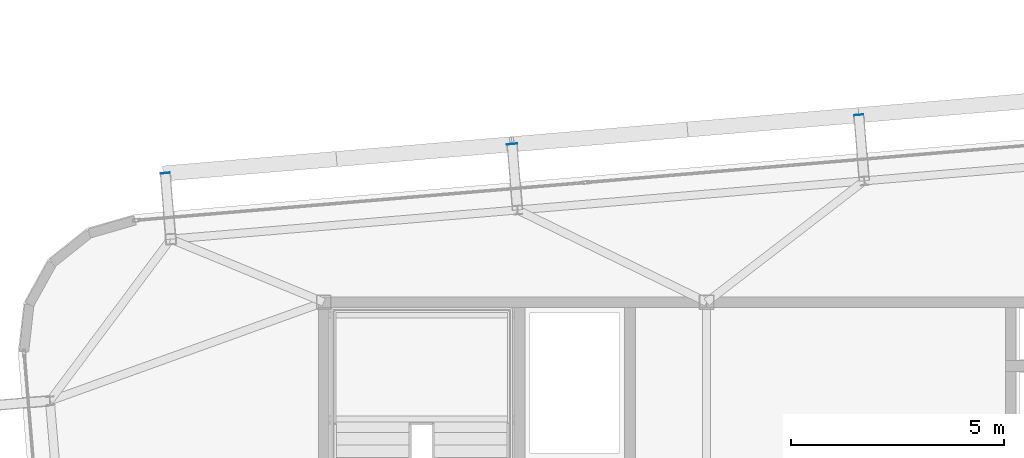
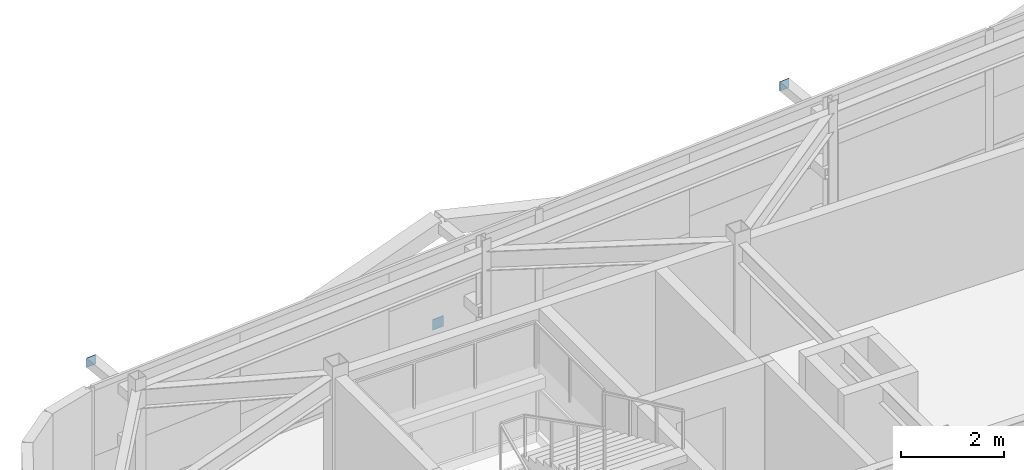
# One storey, part 32 of 39: 3 plates.
"""IFC4 building model written with IfcOpenShell, lengths in metres."""

from ifc_helpers import new_model, si_unit, direction, frame, origin, origin_2d, place, context, subcontext, project, spatial, rectangle, extrude, source, transform, mapped, material, layer, layer_set, type_object, element, save


model = new_model("IFC4")

# Units and contexts
model_context = context("Model", 3, precision=1e-05, world=origin(), true_north=direction((0.0, 1.0)))
body_context = subcontext(model_context, "Body", "Model", "MODEL_VIEW")
ifc_project = project(units=[si_unit("LENGTHUNIT", "METRE"), si_unit("AREAUNIT", "SQUARE_METRE"), si_unit("VOLUMEUNIT", "CUBIC_METRE"), si_unit("PLANEANGLEUNIT", "RADIAN"), si_unit("MASSUNIT", "GRAM", prefix="KILO")], contexts=[model_context])

# Site, building, storey
site_placement = place(None, origin())
site = spatial("IfcSite", under=ifc_project, at=site_placement, CompositionType="ELEMENT")
building_placement = place(site_placement, origin())
building = spatial("IfcBuilding", under=site, at=building_placement, Name="Taldren Reach Tower", CompositionType="ELEMENT")
storey_placement = place(building_placement, frame((0.0, 0.0, 204.050048828125)))
storey = spatial("IfcBuildingStorey", under=building, at=storey_placement, Name="L62", CompositionType="ELEMENT", Elevation=204.050048828125)

# Plates
ifc_material_1 = material(Name="Steel Gr 350 (C350L0)", Category="steel")
ifc_layer_1 = layer(ifc_material_1, 0.011962890625)
ifc_layer_set_1 = layer_set([ifc_layer_1], Name="Steel Gr 350 (C350L0)")
plate_type_1 = type_object("IfcPlateType", Name="PL-CAP-250", PredefinedType="SHEET", material=ifc_layer_set_1)
shared_shape_1 = source(origin(), body_context, "Body", "SweptSolid", [
    extrude(rectangle(XDim=0.25, YDim=0.011962890625, at=origin_2d()), origin(), (0.0, 0.0, 1.0), 0.25),
])
plate_placement = place(storey_placement, frame((23.4248046875, 35.718505859375, 0.094970703125), z_axis=(0.0, 0.0, 1.0), x_axis=(0.99649285925, 0.083677843332, 0.0)))
element("IfcPlate", 1, at=plate_placement, inside=storey, type_object=plate_type_1, Name="Tie strut end cap plate B4-N2 L62", PredefinedType="SHEET", context=body_context, shape_type="MappedRepresentation", body=[
    mapped(shared_shape_1, transform((0.0, 0.0, 0.0), scale=1.0)),
])
ifc_material_2 = material(Name="Steel Gr 450 (C450L0)", Category="steel")
ifc_layer_2 = layer(ifc_material_2, 0.011962890625)
ifc_layer_set_2 = layer_set([ifc_layer_2], Name="Steel Gr 450 (C450L0)")
plate_type_2 = type_object("IfcPlateType", Name="PL-CAP-220", PredefinedType="SHEET", material=ifc_layer_set_2)
shared_shape_2 = source(origin(), body_context, "Body", "SweptSolid", [
    extrude(rectangle(XDim=0.219970703125, YDim=0.011962890625, at=origin_2d()), origin(), (0.0, 0.0, 1.0), 0.219970703125),
])
for number, where, z_axis, x_axis, name in (
    (2, (15.273681640625, 35.0341796875, 2.47998046875), (0.0, 0.0, 1.0), (0.99649285925, 0.083677843332, 0.0), "Tie strut end cap plate B4-N1 L62"),
    (3, (31.576171875, 36.403076171875, 2.47998046875), (0.0, 0.0, 1.0), (0.99649285925, 0.083677843332, 0.0), "Tie strut end cap plate B4-N3 L62"),
):
    element("IfcPlate", number, at=place(storey_placement, frame(where, z_axis=z_axis, x_axis=x_axis)), inside=storey, type_object=plate_type_2, Name=name, PredefinedType="SHEET", context=body_context, shape_type="MappedRepresentation", body=[
        mapped(shared_shape_2, transform((0.0, 0.0, 0.0), scale=1.0)),
    ])

save(model, "model.ifc")
